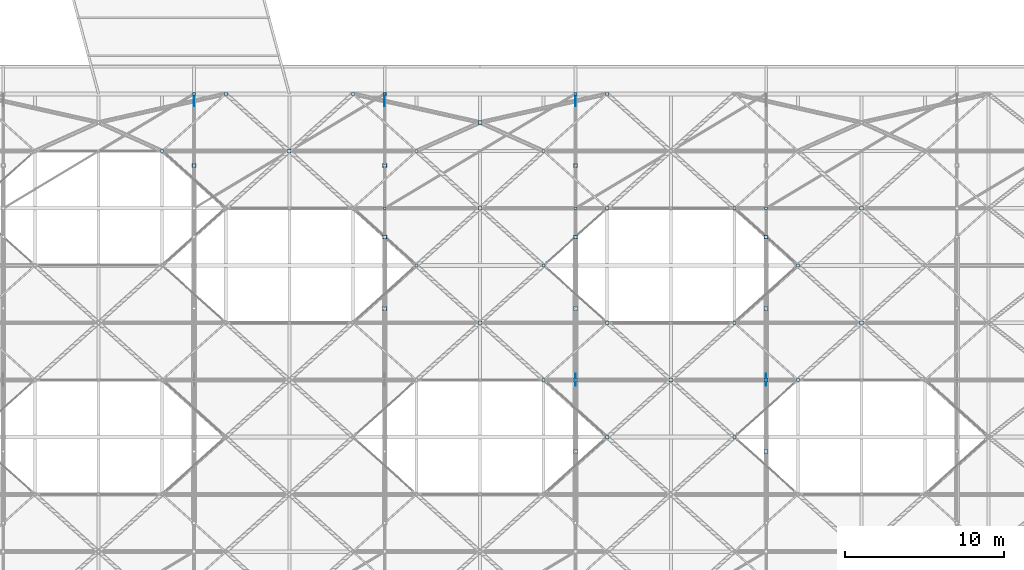
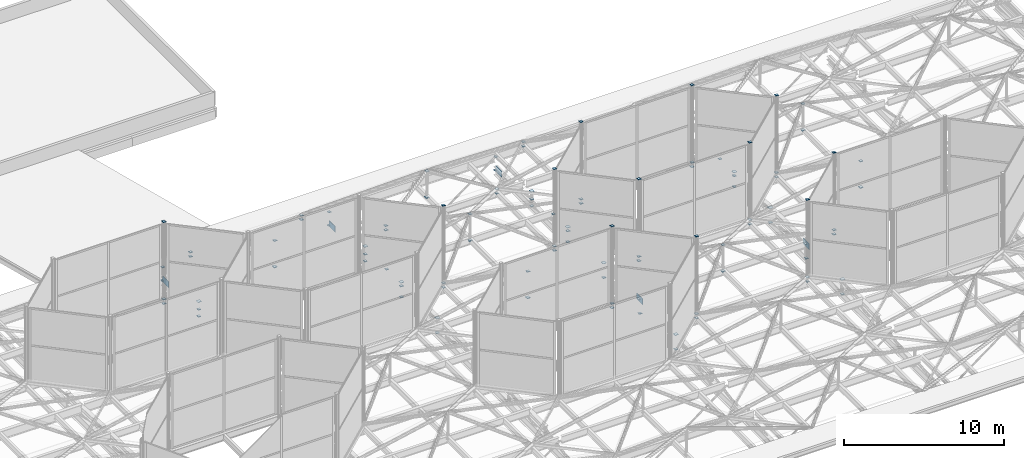
# One storey, part 222 of 239: 106 plates.
"""IFC4 building model written with IfcOpenShell, lengths in metres."""

from ifc_helpers import new_model, si_unit, direction, frame, origin, origin_2d, place, context, subcontext, project, spatial, rectangle, extrude, material, layer, layer_set, type_object, element, save


model = new_model("IFC4")

# Units and contexts
model_context = context("Model", 3, precision=1e-05, world=origin(), true_north=direction((0.0, 1.0)))
body_context = subcontext(model_context, "Body", "Model", "MODEL_VIEW")
ifc_project = project(units=[si_unit("LENGTHUNIT", "METRE"), si_unit("AREAUNIT", "SQUARE_METRE"), si_unit("VOLUMEUNIT", "CUBIC_METRE"), si_unit("PLANEANGLEUNIT", "RADIAN"), si_unit("MASSUNIT", "GRAM", prefix="KILO")], contexts=[model_context])

# Site, building, storey
site_placement = place(None, origin())
site = spatial("IfcSite", under=ifc_project, at=site_placement, CompositionType="ELEMENT")
building_placement = place(site_placement, origin())
building = spatial("IfcBuilding", under=site, at=building_placement, Name="Dunvalen Ferry Terminal", CompositionType="ELEMENT")
storey_placement = place(building_placement, frame((0.0, 0.0, 9.840087890625)))
storey = spatial("IfcBuildingStorey", under=building, at=storey_placement, Name="L02", CompositionType="ELEMENT", Elevation=9.840087890625)

# Plates
ifc_material = material(Name="Steel S355", Category="steel")
ifc_layer_1 = layer(ifc_material, 0.02001953125, Name="Steel S355")
ifc_layer_set_1 = layer_set([ifc_layer_1], Name="Steel S355")
plate_type_1 = type_object("IfcPlateType", Name="STR-PL-GUSSET-01", PredefinedType="USERDEFINED", material=ifc_layer_set_1)
for number, where, z_axis, x_axis, name in (
    (1, (36.0, 81.89990234375, 0.760009765625), (0.0, 0.0, 1.0), (1.0, 0.0, 0.0), "Departure Hall Spandrel Strut Cap Plate 03.7"),
    (2, (48.0, 72.89990234375, 0.760009765625), (0.0, 0.0, 1.0), (1.0, 0.0, 0.0), "Departure Hall Spandrel Strut Cap Plate 04.5"),
    (3, (48.0, 77.39990234375, 0.760009765625), (0.0, 0.0, 1.0), (1.0, 0.0, 0.0), "Departure Hall Spandrel Strut Cap Plate 04.6"),
    (4, (48.0, 81.89990234375, 0.760009765625), (0.0, 0.0, 1.0), (1.0, 0.0, 0.0), "Departure Hall Spandrel Strut Cap Plate 04.7"),
    (5, (60.0, 63.89990234375, 0.760009765625), (0.0, 0.0, 1.0), (1.0, 0.0, 0.0), "Departure Hall Spandrel Strut Cap Plate 05.3"),
    (6, (60.0, 68.39990234375, 0.760009765625), (0.0, 0.0, 1.0), (1.0, 0.0, 0.0), "Departure Hall Spandrel Strut Cap Plate 05.4"),
    (7, (60.0, 72.89990234375, 0.760009765625), (0.0, 0.0, 1.0), (1.0, 0.0, 0.0), "Departure Hall Spandrel Strut Cap Plate 05.5"),
    (8, (60.0, 77.39990234375, 0.760009765625), (0.0, 0.0, 1.0), (1.0, 0.0, 0.0), "Departure Hall Spandrel Strut Cap Plate 05.6"),
    (9, (60.0, 81.89990234375, 0.760009765625), (0.0, 0.0, 1.0), (1.0, 0.0, 0.0), "Departure Hall Spandrel Strut Cap Plate 05.7"),
    (10, (72.0, 63.89990234375, 0.760009765625), (0.0, 0.0, 1.0), (1.0, 0.0, 0.0), "Departure Hall Spandrel Strut Cap Plate 06.3"),
    (11, (72.0, 68.39990234375, 0.760009765625), (0.0, 0.0, 1.0), (1.0, 0.0, 0.0), "Departure Hall Spandrel Strut Cap Plate 06.4"),
    (12, (72.0, 72.89990234375, 0.760009765625), (0.0, 0.0, 1.0), (1.0, 0.0, 0.0), "Departure Hall Spandrel Strut Cap Plate 06.5"),
    (13, (72.0, 77.39990234375, 0.760009765625), (0.0, 0.0, 1.0), (1.0, 0.0, 0.0), "Departure Hall Spandrel Strut Cap Plate 06.6"),
):
    element("IfcPlate", number, at=place(storey_placement, frame(where, z_axis=z_axis, x_axis=x_axis)), inside=storey, type_object=plate_type_1, Name=name, ObjectType="GUSSET PLATE", PredefinedType="USERDEFINED", context=body_context, shape_type="SweptSolid", body=[
        extrude(rectangle(XDim=0.260009765625, YDim=0.260009765625, at=origin_2d()), origin(), (0.0, 0.0, 1.0), 0.02001953125),
    ])
for number, where, z_axis, x_axis, name in (
    (14, (36.0, 86.39990234375, 0.64990234375), (0.0, 0.0, 1.0), (1.0, 0.0, 0.0), "Departure Hall Wind Brace End Cap Plate 2.79.2"),
    (15, (48.0, 86.39990234375, 0.64990234375), (0.0, 0.0, 1.0), (1.0, 0.0, 0.0), "Departure Hall Wind Brace End Cap Plate 3.79.2"),
    (16, (48.0, 79.199951171875, 0.64990234375), (0.0, 0.0, 1.0), (1.0, 0.0, 0.0), "Departure Hall Wind Brace End Cap Plate 4.79.1"),
    (17, (60.0, 86.39990234375, 0.64990234375), (0.0, 0.0, 1.0), (1.0, 0.0, 0.0), "Departure Hall Wind Brace End Cap Plate 4.79.2"),
    (18, (60.0, 79.199951171875, 0.64990234375), (0.0, 0.0, 1.0), (1.0, 0.0, 0.0), "Departure Hall Wind Brace End Cap Plate 5.79.1"),
    (19, (72.0, 79.199951171875, 0.64990234375), (0.0, 0.0, 1.0), (1.0, 0.0, 0.0), "Departure Hall Wind Brace End Cap Plate 6.79.1"),
):
    element("IfcPlate", number, at=place(storey_placement, frame(where, z_axis=z_axis, x_axis=x_axis)), inside=storey, type_object=plate_type_1, Name=name, ObjectType="GUSSET PLATE", PredefinedType="USERDEFINED", context=body_context, shape_type="SweptSolid", body=[
        extrude(rectangle(XDim=0.179931640625, YDim=0.179931640625, at=origin_2d()), origin(), (0.0, 0.0, 1.0), 0.02001953125),
    ])
for number, where, z_axis, x_axis, name in (
    (20, (42.0, 82.800048828125, 0.760009765625), (0.0, 0.0, 1.0), (1.0, 0.0, 0.0), "HEX-22 Pyramid Apex Strut Base Cap Plate"),
    (21, (54.0, 72.0, 0.760009765625), (0.0, 0.0, 1.0), (1.0, 0.0, 0.0), "HEX-26 Pyramid Apex Strut Base Cap Plate"),
    (22, (54.0, 79.199951171875, 0.760009765625), (0.0, 0.0, 1.0), (1.0, 0.0, 0.0), "HEX-27 Pyramid Apex Strut Base Cap Plate"),
    (23, (54.0, 84.60009765625, 0.760009765625), (0.0, 0.0, 1.0), (1.0, 0.0, 0.0), "HEX-28 Pyramid Apex Strut Base Cap Plate"),
    (24, (66.0, 68.39990234375, 0.760009765625), (0.0, 0.0, 1.0), (1.0, 0.0, 0.0), "HEX-31 Pyramid Apex Strut Base Cap Plate"),
    (25, (78.0, 72.0, 0.760009765625), (0.0, 0.0, 1.0), (1.0, 0.0, 0.0), "HEX-37 Pyramid Apex Strut Base Cap Plate"),
    (26, (78.0, 79.199951171875, 0.760009765625), (0.0, 0.0, 1.0), (1.0, 0.0, 0.0), "HEX-38 Pyramid Apex Strut Base Cap Plate"),
):
    element("IfcPlate", number, at=place(storey_placement, frame(where, z_axis=z_axis, x_axis=x_axis)), inside=storey, type_object=plate_type_1, Name=name, ObjectType="GUSSET PLATE", PredefinedType="USERDEFINED", context=body_context, shape_type="SweptSolid", body=[
        extrude(rectangle(XDim=0.239990234375, YDim=0.239990234375, at=origin_2d()), origin(), (0.0, 0.0, 1.0), 0.02001953125),
    ])
for number, where, z_axis, x_axis, name in (
    (27, (36.0, 81.89990234375, 0.15869140625), (0.0, 0.0, 1.0), (1.0, 0.0, 0.0), "L02 Brace-Strut End Cleat Plate 037"),
    (28, (48.0, 77.39990234375, -0.3701171875), (0.0, 0.0, 1.0), (1.0, 0.0, 0.0), "L02 Brace-Strut End Cleat Plate 047"),
    (29, (48.0, 81.89990234375, -0.3701171875), (0.0, 0.0, 1.0), (1.0, 0.0, 0.0), "L02 Brace-Strut End Cleat Plate 049"),
    (30, (48.0, 86.39990234375, -0.3701171875), (0.0, 0.0, 1.0), (1.0, 0.0, 0.0), "L02 Brace-Strut End Cleat Plate 051"),
    (31, (60.0, 72.89990234375, -0.3701171875), (0.0, 0.0, 1.0), (1.0, 0.0, 0.0), "L02 Brace-Strut End Cleat Plate 059"),
    (32, (60.0, 77.39990234375, 0.46484375), (0.0, 0.0, 1.0), (1.0, 0.0, 0.0), "L02 Brace-Strut End Cleat Plate 061"),
    (33, (60.0, 81.89990234375, 0.15869140625), (0.0, 0.0, 1.0), (1.0, 0.0, 0.0), "L02 Brace-Strut End Cleat Plate 063"),
    (34, (60.0, 68.39990234375, -0.3701171875), (0.0, 0.0, 1.0), (1.0, 0.0, 0.0), "L02 Brace-Strut End Cleat Plate 065"),
    (35, (72.0, 63.89990234375, -0.3701171875), (0.0, 0.0, 1.0), (1.0, 0.0, 0.0), "L02 Brace-Strut End Cleat Plate 071"),
    (36, (72.0, 77.39990234375, -0.3701171875), (0.0, 0.0, 1.0), (1.0, 0.0, 0.0), "L02 Brace-Strut End Cleat Plate 073"),
    (37, (34.0, 82.800048828125, 6.989990234375), (0.0, 0.0, 1.0), (1.0, 0.0, 0.0), "L02 Brace-Strut End Cleat Plate 247"),
    (38, (38.0, 86.39990234375, 0.760009765625), (0.0, 0.0, 1.0), (1.0, 0.0, 0.0), "L02 Brace-Strut End Cleat Plate 251"),
    (39, (50.0, 75.60009765625, 0.760009765625), (0.0, 0.0, 1.0), (1.0, 0.0, 0.0), "L02 Brace-Strut End Cleat Plate 273"),
    (40, (42.0, 82.800048828125, 2.7548828125), (0.0, 0.0, 1.0), (1.0, 0.0, 0.0), "L02 Brace-Strut End Cleat Plate 277"),
    (41, (50.0, 82.800048828125, 1.08984375), (0.0, 0.0, 1.0), (1.0, 0.0, 0.0), "L02 Brace-Strut End Cleat Plate 281"),
    (42, (46.0, 86.39990234375, 1.08984375), (0.0, 0.0, 1.0), (1.0, 0.0, 0.0), "L02 Brace-Strut End Cleat Plate 283"),
    (43, (62.0, 64.800048828125, 0.760009765625), (0.0, 0.0, 1.0), (1.0, 0.0, 0.0), "L02 Brace-Strut End Cleat Plate 297"),
    (44, (58.0, 68.39990234375, 0.760009765625), (0.0, 0.0, 1.0), (1.0, 0.0, 0.0), "L02 Brace-Strut End Cleat Plate 299"),
    (45, (58.0, 68.39990234375, 1.08984375), (0.0, 0.0, 1.0), (1.0, 0.0, 0.0), "L02 Brace-Strut End Cleat Plate 303"),
    (46, (62.0, 72.0, 1.08984375), (0.0, 0.0, 1.0), (1.0, 0.0, 0.0), "L02 Brace-Strut End Cleat Plate 305"),
    (47, (58.0, 75.60009765625, 1.08984375), (0.0, 0.0, 1.0), (1.0, 0.0, 0.0), "L02 Brace-Strut End Cleat Plate 307"),
    (48, (54.0, 79.199951171875, 2.7548828125), (0.0, 0.0, 1.0), (1.0, 0.0, 0.0), "L02 Brace-Strut End Cleat Plate 309"),
    (49, (62.0, 79.199951171875, 1.08984375), (0.0, 0.0, 1.0), (1.0, 0.0, 0.0), "L02 Brace-Strut End Cleat Plate 311"),
    (50, (58.0, 82.800048828125, 1.08984375), (0.0, 0.0, 1.0), (1.0, 0.0, 0.0), "L02 Brace-Strut End Cleat Plate 313"),
    (51, (62.0, 86.39990234375, 0.760009765625), (0.0, 0.0, 1.0), (1.0, 0.0, 0.0), "L02 Brace-Strut End Cleat Plate 315"),
    (52, (70.0, 64.800048828125, 0.760009765625), (0.0, 0.0, 1.0), (1.0, 0.0, 0.0), "L02 Brace-Strut End Cleat Plate 327"),
    (53, (62.0, 64.800048828125, 1.08984375), (0.0, 0.0, 1.0), (1.0, 0.0, 0.0), "L02 Brace-Strut End Cleat Plate 329"),
    (54, (74.0, 68.39990234375, 0.760009765625), (0.0, 0.0, 1.0), (1.0, 0.0, 0.0), "L02 Brace-Strut End Cleat Plate 331"),
    (55, (70.0, 72.0, 0.760009765625), (0.0, 0.0, 1.0), (1.0, 0.0, 0.0), "L02 Brace-Strut End Cleat Plate 333"),
    (56, (58.0, 75.60009765625, 6.989990234375), (0.0, 0.0, 1.0), (1.0, 0.0, 0.0), "L02 Brace-Strut End Cleat Plate 335"),
    (57, (70.0, 72.0, 6.989990234375), (0.0, 0.0, 1.0), (1.0, 0.0, 0.0), "L02 Brace-Strut End Cleat Plate 337"),
    (58, (74.0, 75.60009765625, 6.989990234375), (0.0, 0.0, 1.0), (1.0, 0.0, 0.0), "L02 Brace-Strut End Cleat Plate 339"),
    (59, (70.0, 79.199951171875, 6.989990234375), (0.0, 0.0, 1.0), (1.0, 0.0, 0.0), "L02 Brace-Strut End Cleat Plate 341"),
    (60, (70.0, 64.800048828125, 6.989990234375), (0.0, 0.0, 1.0), (1.0, 0.0, 0.0), "L02 Brace-Strut End Cleat Plate 359"),
    (61, (78.0, 72.0, 2.7548828125), (0.0, 0.0, 1.0), (1.0, 0.0, 0.0), "L02 Brace-Strut End Cleat Plate 367"),
    (62, (74.0, 75.60009765625, 1.08984375), (0.0, 0.0, 1.0), (1.0, 0.0, 0.0), "L02 Brace-Strut End Cleat Plate 373"),
):
    element("IfcPlate", number, at=place(storey_placement, frame(where, z_axis=z_axis, x_axis=x_axis)), inside=storey, type_object=plate_type_1, Name=name, ObjectType="GUSSET PLATE", PredefinedType="USERDEFINED", context=body_context, shape_type="SweptSolid", body=[
        extrude(rectangle(XDim=0.199951171875, YDim=0.199951171875, at=origin_2d()), origin(), (0.0, 0.0, 1.0), 0.02001953125),
    ])
ifc_layer_2 = layer(ifc_material, 0.02587890625, Name="Steel S355")
ifc_layer_set_2 = layer_set([ifc_layer_2], Name="Steel S355")
plate_type_2 = type_object("IfcPlateType", Name="STR-PL-GUSSET-02", PredefinedType="USERDEFINED", material=ifc_layer_set_2)
for number, where, z_axis, x_axis, name in (
    (63, (36.0, 81.89990234375, -0.373046875), (0.0, 0.0, 1.0), (1.0, 0.0, 0.0), "L02 Brace-Strut End Cleat Plate 036"),
    (64, (36.0, 86.39990234375, -0.373046875), (0.0, 0.0, 1.0), (1.0, 0.0, 0.0), "L02 Brace-Strut End Cleat Plate 038"),
    (65, (48.0, 72.89990234375, -0.373046875), (0.0, 0.0, 1.0), (1.0, 0.0, 0.0), "L02 Brace-Strut End Cleat Plate 046"),
    (66, (48.0, 77.39990234375, 0.4619140625), (0.0, 0.0, 1.0), (1.0, 0.0, 0.0), "L02 Brace-Strut End Cleat Plate 048"),
    (67, (48.0, 81.89990234375, 0.15576171875), (0.0, 0.0, 1.0), (1.0, 0.0, 0.0), "L02 Brace-Strut End Cleat Plate 050"),
    (68, (60.0, 63.89990234375, -0.373046875), (0.0, 0.0, 1.0), (1.0, 0.0, 0.0), "L02 Brace-Strut End Cleat Plate 058"),
    (69, (60.0, 77.39990234375, -0.373046875), (0.0, 0.0, 1.0), (1.0, 0.0, 0.0), "L02 Brace-Strut End Cleat Plate 060"),
    (70, (60.0, 81.89990234375, -0.373046875), (0.0, 0.0, 1.0), (1.0, 0.0, 0.0), "L02 Brace-Strut End Cleat Plate 062"),
    (71, (60.0, 86.39990234375, -0.373046875), (0.0, 0.0, 1.0), (1.0, 0.0, 0.0), "L02 Brace-Strut End Cleat Plate 064"),
    (72, (72.0, 72.89990234375, -0.373046875), (0.0, 0.0, 1.0), (1.0, 0.0, 0.0), "L02 Brace-Strut End Cleat Plate 072"),
    (73, (72.0, 77.39990234375, 0.4619140625), (0.0, 0.0, 1.0), (1.0, 0.0, 0.0), "L02 Brace-Strut End Cleat Plate 074"),
    (74, (72.0, 68.39990234375, -0.373046875), (0.0, 0.0, 1.0), (1.0, 0.0, 0.0), "L02 Brace-Strut End Cleat Plate 078"),
    (75, (34.0, 82.800048828125, 0.757080078125), (0.0, 0.0, 1.0), (1.0, 0.0, 0.0), "L02 Brace-Strut End Cleat Plate 246"),
    (76, (34.0, 82.800048828125, 1.0869140625), (0.0, 0.0, 1.0), (1.0, 0.0, 0.0), "L02 Brace-Strut End Cleat Plate 250"),
    (77, (38.0, 86.39990234375, 1.0869140625), (0.0, 0.0, 1.0), (1.0, 0.0, 0.0), "L02 Brace-Strut End Cleat Plate 252"),
    (78, (50.0, 75.60009765625, 6.987060546875), (0.0, 0.0, 1.0), (1.0, 0.0, 0.0), "L02 Brace-Strut End Cleat Plate 274"),
    (79, (50.0, 82.800048828125, 0.757080078125), (0.0, 0.0, 1.0), (1.0, 0.0, 0.0), "L02 Brace-Strut End Cleat Plate 280"),
    (80, (46.0, 86.39990234375, 0.757080078125), (0.0, 0.0, 1.0), (1.0, 0.0, 0.0), "L02 Brace-Strut End Cleat Plate 282"),
    (81, (62.0, 64.800048828125, 6.987060546875), (0.0, 0.0, 1.0), (1.0, 0.0, 0.0), "L02 Brace-Strut End Cleat Plate 298"),
    (82, (58.0, 68.39990234375, 6.987060546875), (0.0, 0.0, 1.0), (1.0, 0.0, 0.0), "L02 Brace-Strut End Cleat Plate 300"),
    (83, (54.0, 72.0, 2.751953125), (0.0, 0.0, 1.0), (1.0, 0.0, 0.0), "L02 Brace-Strut End Cleat Plate 302"),
    (84, (62.0, 72.0, 0.757080078125), (0.0, 0.0, 1.0), (1.0, 0.0, 0.0), "L02 Brace-Strut End Cleat Plate 304"),
    (85, (58.0, 75.60009765625, 0.757080078125), (0.0, 0.0, 1.0), (1.0, 0.0, 0.0), "L02 Brace-Strut End Cleat Plate 306"),
    (86, (50.0, 75.60009765625, 1.0869140625), (0.0, 0.0, 1.0), (1.0, 0.0, 0.0), "L02 Brace-Strut End Cleat Plate 308"),
    (87, (62.0, 79.199951171875, 0.757080078125), (0.0, 0.0, 1.0), (1.0, 0.0, 0.0), "L02 Brace-Strut End Cleat Plate 310"),
    (88, (58.0, 82.800048828125, 0.757080078125), (0.0, 0.0, 1.0), (1.0, 0.0, 0.0), "L02 Brace-Strut End Cleat Plate 312"),
    (89, (54.0, 84.60009765625, 2.751953125), (0.0, 0.0, 1.0), (1.0, 0.0, 0.0), "L02 Brace-Strut End Cleat Plate 314"),
    (90, (62.0, 86.39990234375, 1.0869140625), (0.0, 0.0, 1.0), (1.0, 0.0, 0.0), "L02 Brace-Strut End Cleat Plate 316"),
    (91, (70.0, 64.800048828125, 1.0869140625), (0.0, 0.0, 1.0), (1.0, 0.0, 0.0), "L02 Brace-Strut End Cleat Plate 328"),
    (92, (66.0, 68.39990234375, 2.751953125), (0.0, 0.0, 1.0), (1.0, 0.0, 0.0), "L02 Brace-Strut End Cleat Plate 330"),
    (93, (74.0, 68.39990234375, 1.0869140625), (0.0, 0.0, 1.0), (1.0, 0.0, 0.0), "L02 Brace-Strut End Cleat Plate 332"),
    (94, (70.0, 72.0, 1.0869140625), (0.0, 0.0, 1.0), (1.0, 0.0, 0.0), "L02 Brace-Strut End Cleat Plate 334"),
    (95, (62.0, 72.0, 6.987060546875), (0.0, 0.0, 1.0), (1.0, 0.0, 0.0), "L02 Brace-Strut End Cleat Plate 336"),
    (96, (74.0, 75.60009765625, 0.757080078125), (0.0, 0.0, 1.0), (1.0, 0.0, 0.0), "L02 Brace-Strut End Cleat Plate 338"),
    (97, (70.0, 79.199951171875, 0.757080078125), (0.0, 0.0, 1.0), (1.0, 0.0, 0.0), "L02 Brace-Strut End Cleat Plate 340"),
    (98, (62.0, 79.199951171875, 6.987060546875), (0.0, 0.0, 1.0), (1.0, 0.0, 0.0), "L02 Brace-Strut End Cleat Plate 342"),
    (99, (70.0, 79.199951171875, 1.0869140625), (0.0, 0.0, 1.0), (1.0, 0.0, 0.0), "L02 Brace-Strut End Cleat Plate 344"),
    (100, (74.0, 68.39990234375, 6.987060546875), (0.0, 0.0, 1.0), (1.0, 0.0, 0.0), "L02 Brace-Strut End Cleat Plate 366"),
    (101, (78.0, 79.199951171875, 2.751953125), (0.0, 0.0, 1.0), (1.0, 0.0, 0.0), "L02 Brace-Strut End Cleat Plate 374"),
):
    element("IfcPlate", number, at=place(storey_placement, frame(where, z_axis=z_axis, x_axis=x_axis)), inside=storey, type_object=plate_type_2, Name=name, ObjectType="GUSSET PLATE", PredefinedType="USERDEFINED", context=body_context, shape_type="SweptSolid", body=[
        extrude(rectangle(XDim=0.199951171875, YDim=0.199951171875, at=origin_2d()), origin(), (0.0, 0.0, 1.0), 0.02587890625),
    ])
ifc_layer_3 = layer(ifc_material, 0.031982421875, Name="Steel S355")
ifc_layer_set_3 = layer_set([ifc_layer_3], Name="Steel S355")
plate_type_3 = type_object("IfcPlateType", Name="STR-PL-GUSSET-03", PredefinedType="USERDEFINED", material=ifc_layer_set_3)
for number, where, z_axis, x_axis, name in (
    (102, (60.0, 68.39990234375, 0.4951171875), (0.0, 0.0, 1.0), (1.0, 0.0, 0.0), "Departure Hall Arch Gusset Plate 05.2"),
    (103, (72.0, 68.39990234375, 0.4951171875), (0.0, 0.0, 1.0), (1.0, 0.0, 0.0), "Departure Hall Arch Gusset Plate 06.2"),
):
    element("IfcPlate", number, at=place(storey_placement, frame(where, z_axis=z_axis, x_axis=x_axis)), inside=storey, type_object=plate_type_3, Name=name, ObjectType="GUSSET PLATE", PredefinedType="USERDEFINED", context=body_context, shape_type="SweptSolid", body=[
        extrude(rectangle(XDim=0.031982421875, YDim=0.75, at=origin_2d()), origin(), (0.0, 0.0, 1.0), 0.449951171875),
    ])
ifc_layer_4 = layer(ifc_material, 0.0380859375, Name="Steel S355")
ifc_layer_set_4 = layer_set([ifc_layer_4], Name="Steel S355")
plate_type_4 = type_object("IfcPlateType", Name="STR-PL-GUSSET-04", PredefinedType="USERDEFINED", material=ifc_layer_set_4)
for number, where, z_axis, x_axis, name in (
    (104, (36.0, 86.0, -0.46484375), (0.0, 0.0, 1.0), (1.0, 0.0, 0.0), "Departure Hall Arch Gusset Plate 03.3"),
    (105, (48.0, 86.0, -0.46484375), (0.0, 0.0, 1.0), (1.0, 0.0, 0.0), "Departure Hall Arch Gusset Plate 04.3"),
    (106, (60.0, 86.0, -0.46484375), (0.0, 0.0, 1.0), (1.0, 0.0, 0.0), "Departure Hall Arch Gusset Plate 05.3"),
):
    element("IfcPlate", number, at=place(storey_placement, frame(where, z_axis=z_axis, x_axis=x_axis)), inside=storey, type_object=plate_type_4, Name=name, ObjectType="GUSSET PLATE", PredefinedType="USERDEFINED", context=body_context, shape_type="SweptSolid", body=[
        extrude(rectangle(XDim=0.031982421875, YDim=0.75, at=origin_2d()), origin(), (0.0, 0.0, 1.0), 0.449951171875),
    ])

save(model, "model.ifc")
